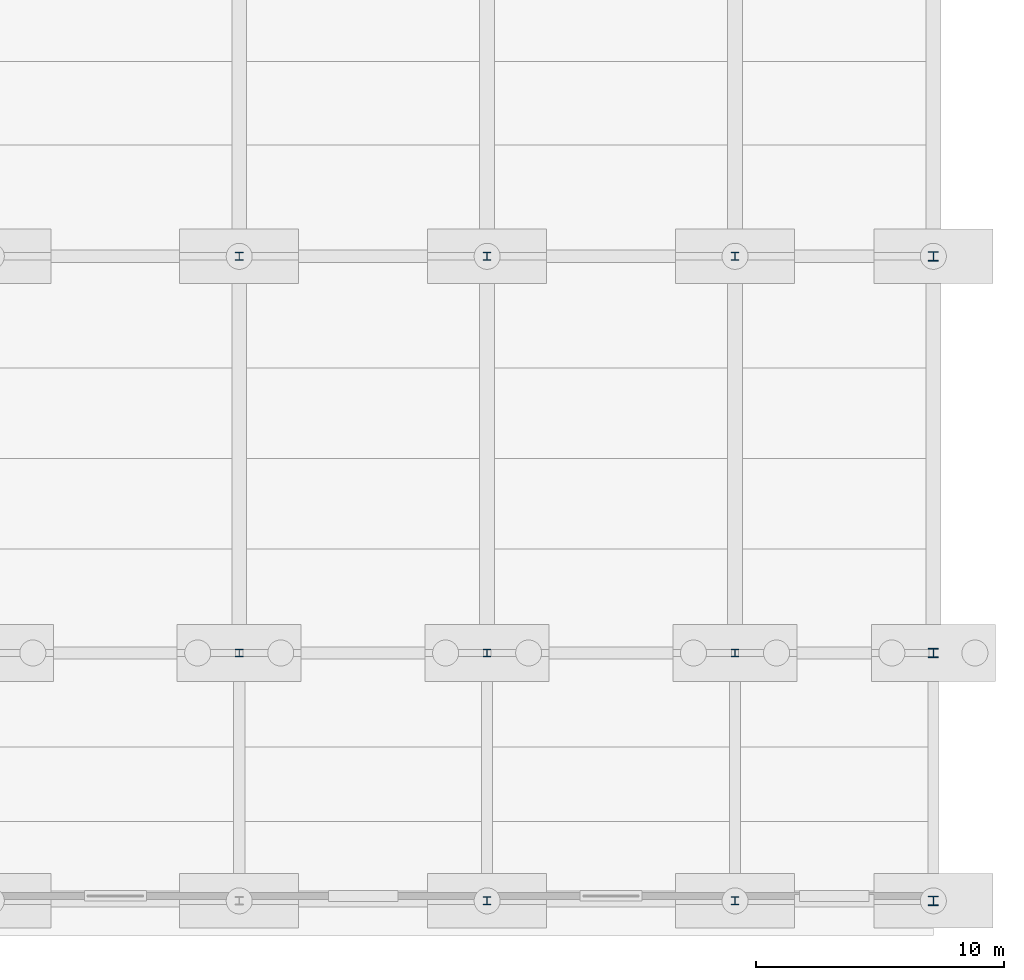
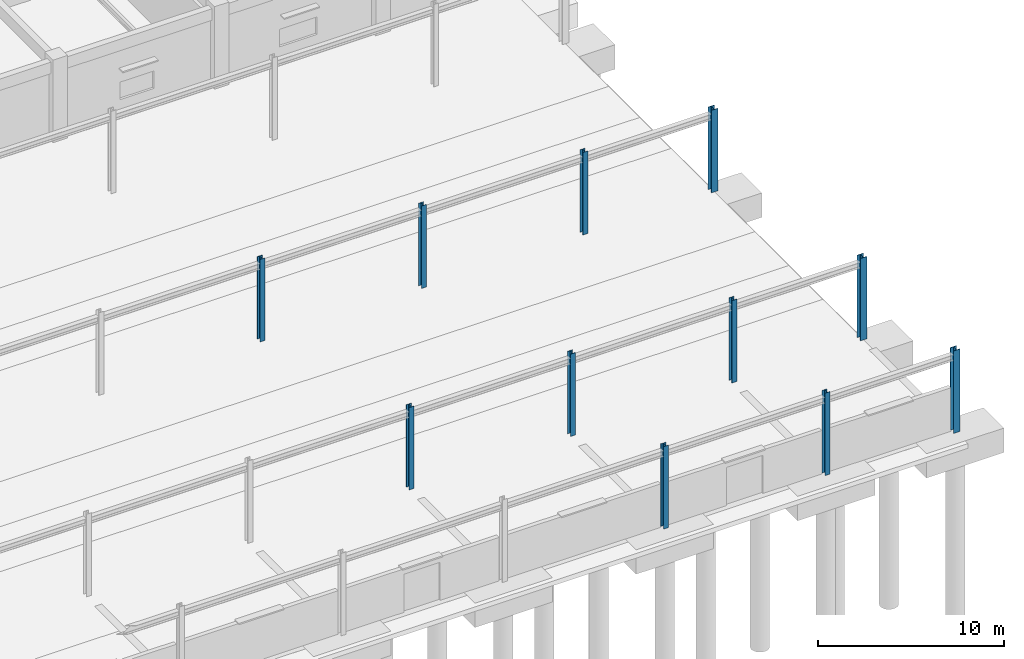
# One storey, part 23 of 99: 11 columns.
"""IFC4 building model written with IfcOpenShell, lengths in metres."""

from ifc_helpers import new_model, si_unit, direction, frame, origin, origin_2d, place, context, subcontext, project, spatial, i_section, extrude, material, material_profile, profile_set, type_object, element, save


model = new_model("IFC4")

# Units and contexts
model_context = context("Model", 3, precision=1e-05, world=origin(), true_north=direction((0.0, 1.0)))
body_context = subcontext(model_context, "Body", "Model", "MODEL_VIEW")
ifc_project = project(units=[si_unit("LENGTHUNIT", "METRE"), si_unit("AREAUNIT", "SQUARE_METRE"), si_unit("VOLUMEUNIT", "CUBIC_METRE"), si_unit("PLANEANGLEUNIT", "RADIAN"), si_unit("MASSUNIT", "GRAM", prefix="KILO")], contexts=[model_context])

# Site, building, storey
site_placement = place(None, origin())
site = spatial("IfcSite", under=ifc_project, at=site_placement, CompositionType="ELEMENT")
building_placement = place(site_placement, origin())
building = spatial("IfcBuilding", under=site, at=building_placement, Name="Kivolera Central Railway Station", CompositionType="ELEMENT")
storey_placement = place(building_placement, origin())
storey = spatial("IfcBuildingStorey", under=building, at=storey_placement, Name="L00", CompositionType="ELEMENT", Elevation=0.0)

# Columns
ifc_material = material(Name="Steel S355", Category="steel")
ifc_material_profile_1 = material_profile(ifc_material, i_section(OverallWidth=0.30908203125, OverallDepth=0.320556640625, WebThickness=0.013916015625, FlangeThickness=0.021728515625, FilletRadius=0.01513671875, at=origin_2d()), Name="UC 305x305x137")
ifc_profile_set_1 = profile_set([ifc_material_profile_1], Name="Steel S355")
column_type_1 = type_object("IfcColumnType", Name="COL-STL-UC305", PredefinedType="COLUMN", material=ifc_profile_set_1)
for number, where, z_axis, x_axis, name in (
    (1, (168.0, 16.0, 0.0), (0.0, 0.0, 1.0), (1.0, 0.0, 0.0), "L00 Train Shed Column 17-B"),
    (2, (168.0, 32.0, 0.0), (0.0, 0.0, 1.0), (1.0, 0.0, 0.0), "L00 Train Shed Column 17-C"),
    (3, (178.0, 6.0, 0.0), (0.0, 0.0, 1.0), (1.0, 0.0, 0.0), "L00 Train Shed Column 18-A"),
    (4, (178.0, 16.0, 0.0), (0.0, 0.0, 1.0), (1.0, 0.0, 0.0), "L00 Train Shed Column 18-B"),
    (5, (178.0, 32.0, 0.0), (0.0, 0.0, 1.0), (1.0, 0.0, 0.0), "L00 Train Shed Column 18-C"),
    (6, (188.0, 6.0, 0.0), (0.0, 0.0, 1.0), (1.0, 0.0, 0.0), "L00 Train Shed Column 19-A"),
    (7, (188.0, 16.0, 0.0), (0.0, 0.0, 1.0), (1.0, 0.0, 0.0), "L00 Train Shed Column 19-B"),
    (8, (188.0, 32.0, 0.0), (0.0, 0.0, 1.0), (1.0, 0.0, 0.0), "L00 Train Shed Column 19-C"),
):
    element("IfcColumn", number, at=place(storey_placement, frame(where, z_axis=z_axis, x_axis=x_axis)), inside=storey, type_object=column_type_1, Name=name, PredefinedType="COLUMN", context=body_context, shape_type="SweptSolid", body=[
        extrude(i_section(OverallWidth=0.30908203125, OverallDepth=0.320556640625, WebThickness=0.013916015625, FlangeThickness=0.021728515625, FilletRadius=0.01513671875, at=origin_2d()), origin(), (0.0, 0.0, 1.0), 5.39990234375),
    ])
ifc_material_profile_2 = material_profile(ifc_material, i_section(OverallWidth=0.394775390625, OverallDepth=0.381103515625, WebThickness=0.018310546875, FlangeThickness=0.0302734375, FilletRadius=0.01513671875, at=origin_2d()), Name="UC 356x406x235")
ifc_profile_set_2 = profile_set([ifc_material_profile_2], Name="Steel S355")
column_type_2 = type_object("IfcColumnType", Name="COL-STL-UC356", PredefinedType="COLUMN", material=ifc_profile_set_2)
for number, where, z_axis, x_axis, name in (
    (9, (196.0, 6.0, 0.0), (0.0, 0.0, 1.0), (1.0, 0.0, 0.0), "L00 Train Shed Column 20-A"),
    (10, (196.0, 16.0, 0.0), (0.0, 0.0, 1.0), (1.0, 0.0, 0.0), "L00 Train Shed Column 20-B"),
    (11, (196.0, 32.0, 0.0), (0.0, 0.0, 1.0), (1.0, 0.0, 0.0), "L00 Train Shed Column 20-C"),
):
    element("IfcColumn", number, at=place(storey_placement, frame(where, z_axis=z_axis, x_axis=x_axis)), inside=storey, type_object=column_type_2, Name=name, PredefinedType="COLUMN", context=body_context, shape_type="SweptSolid", body=[
        extrude(i_section(OverallWidth=0.394775390625, OverallDepth=0.381103515625, WebThickness=0.018310546875, FlangeThickness=0.0302734375, FilletRadius=0.01513671875, at=origin_2d()), origin(), (0.0, 0.0, 1.0), 5.39990234375),
    ])

save(model, "model.ifc")
